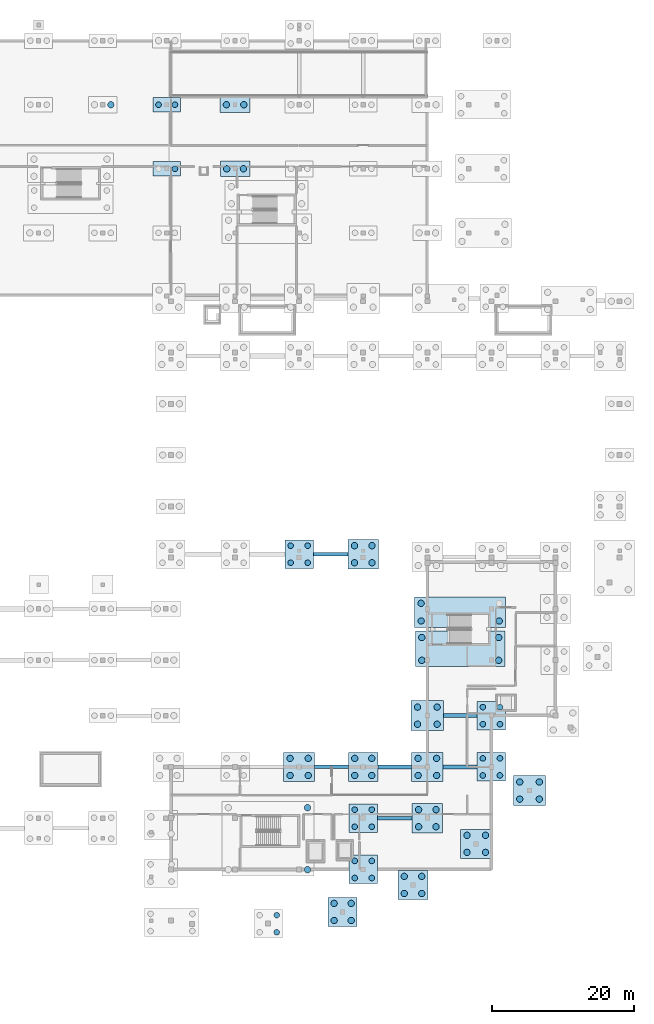
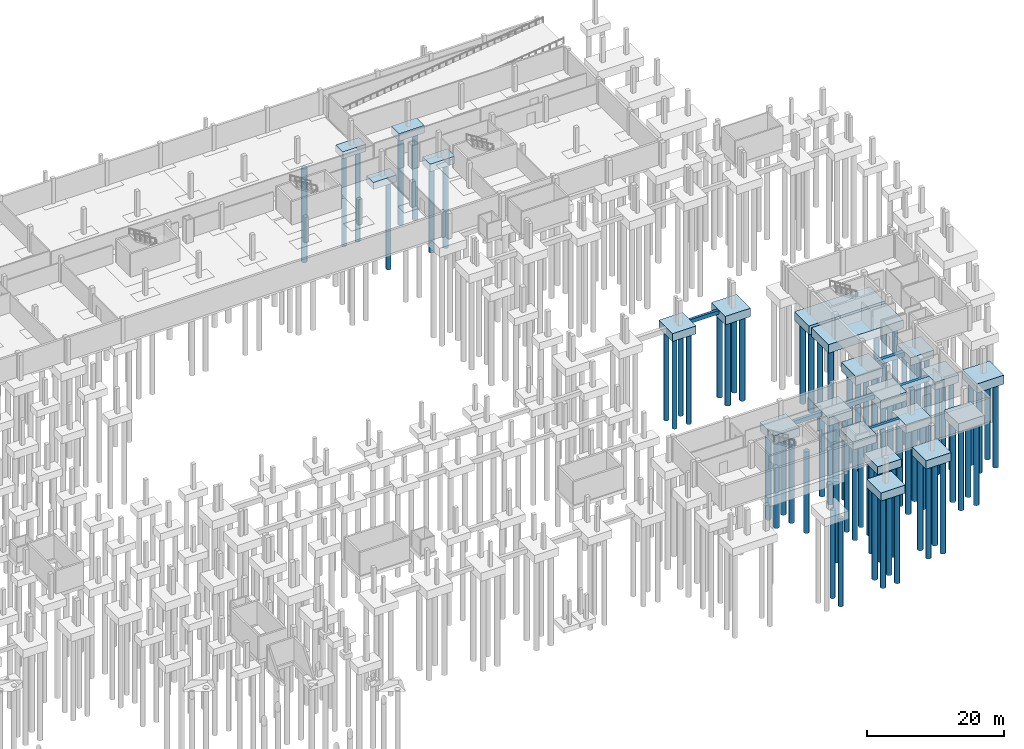
# One storey, part 9 of 36: 79 piles, 27 footings.
"""IFC4 building model written with IfcOpenShell, lengths in metres."""

from ifc_helpers import new_model, si_unit, direction, frame, origin, origin_2d, place, context, subcontext, project, spatial, rectangle, circle, extrude, material, layer, layer_set, material_profile, profile_set, type_object, element, save


model = new_model("IFC4")

# Units and contexts
model_context = context("Model", 3, precision=1e-05, world=origin(), true_north=direction((0.0, 1.0)))
body_context = subcontext(model_context, "Body", "Model", "MODEL_VIEW")
ifc_project = project(units=[si_unit("LENGTHUNIT", "METRE"), si_unit("AREAUNIT", "SQUARE_METRE"), si_unit("VOLUMEUNIT", "CUBIC_METRE"), si_unit("PLANEANGLEUNIT", "RADIAN"), si_unit("MASSUNIT", "GRAM", prefix="KILO")], contexts=[model_context])

# Site, building, storey
site_placement = place(None, origin())
site = spatial("IfcSite", under=ifc_project, at=site_placement, CompositionType="ELEMENT")
building_placement = place(site_placement, origin())
building = spatial("IfcBuilding", under=site, at=building_placement, Name="Chiffa Square Polytechnic", CompositionType="ELEMENT")
storey_placement = place(building_placement, frame((0.0, 0.0, -4.5)))
storey = spatial("IfcBuildingStorey", under=building, at=storey_placement, Name="B1", CompositionType="ELEMENT", Elevation=-4.5)

# Footings
ifc_material = material(Name="Concrete C35/45", Category="concrete")
ifc_layer_1 = layer(ifc_material, 0.659912109375, Name="Concrete C35/45")
ifc_layer_set_1 = layer_set([ifc_layer_1], Name="Concrete C35/45")
footing_type_1 = type_object("IfcFootingType", Name="FTG-BEAM-460X660", PredefinedType="FOOTING_BEAM", material=ifc_layer_set_1)
footing_1_placement = place(storey_placement, frame((134.636962890625, 58.675048828125, -0.66015625), z_axis=(0.0, 0.0, 1.0), x_axis=(1.0, 0.0, 0.0)))
element("IfcFooting", 1, at=footing_1_placement, inside=storey, type_object=footing_type_1, Name="Footing tie beam FB-B1-037", PredefinedType="FOOTING_BEAM", context=body_context, shape_type="SweptSolid", body=[
    extrude(rectangle(XDim=4.864990234375, YDim=0.4599609375, at=origin_2d()), origin(), (0.0, 0.0, 1.0), 0.659912109375),
])
ifc_layer_2 = layer(ifc_material, 0.7099609375, Name="Concrete C35/45")
ifc_layer_set_2 = layer_set([ifc_layer_2], Name="Concrete C35/45")
footing_type_2 = type_object("IfcFootingType", Name="FTG-BEAM-500X710", PredefinedType="FOOTING_BEAM", material=ifc_layer_set_2)
footing_2_placement = place(storey_placement, frame((134.761962890625, 28.800048828125, -0.7099609375), z_axis=(0.0, 0.0, 1.0), x_axis=(1.0, 0.0, 0.0)))
element("IfcFooting", 2, at=footing_2_placement, inside=storey, type_object=footing_type_2, Name="Footing tie beam FB-B1-003", PredefinedType="FOOTING_BEAM", context=body_context, shape_type="SweptSolid", body=[
    extrude(rectangle(XDim=4.764892578125, YDim=0.5, at=origin_2d()), origin(), (0.0, 0.0, 1.0), 0.7099609375),
])
ifc_layer_3 = layer(ifc_material, 0.735107421875, Name="Concrete C35/45")
ifc_layer_set_3 = layer_set([ifc_layer_3], Name="Concrete C35/45")
footing_type_3 = type_object("IfcFootingType", Name="FTG-BEAM-520X735", PredefinedType="FOOTING_BEAM", material=ifc_layer_set_3)
footing_3_placement = place(storey_placement, frame((143.636962890625, 21.60009765625, -0.734375), z_axis=(0.0, 0.0, 1.0), x_axis=(1.0, 0.0, 0.0)))
element("IfcFooting", 3, at=footing_3_placement, inside=storey, type_object=footing_type_3, Name="Footing tie beam FB-B1-004", PredefinedType="FOOTING_BEAM", context=body_context, shape_type="SweptSolid", body=[
    extrude(rectangle(XDim=4.864990234375, YDim=0.52001953125, at=origin_2d()), origin(), (0.0, 0.0, 1.0), 0.735107421875),
])
ifc_layer_4 = layer(ifc_material, 0.760009765625, Name="Concrete C35/45")
ifc_layer_set_4 = layer_set([ifc_layer_4], Name="Concrete C35/45")
footing_type_4 = type_object("IfcFootingType", Name="FTG-BEAM-540X760", PredefinedType="FOOTING_BEAM", material=ifc_layer_set_4)
footing_4_placement = place(storey_placement, frame((143.625, 28.800048828125, -0.759765625), z_axis=(0.0, 0.0, 1.0), x_axis=(1.0, 0.0, 0.0)))
element("IfcFooting", 4, at=footing_4_placement, inside=storey, type_object=footing_type_4, Name="Footing tie beam FB-B1-005", PredefinedType="FOOTING_BEAM", context=body_context, shape_type="SweptSolid", body=[
    extrude(rectangle(XDim=4.739990234375, YDim=0.5400390625, at=origin_2d()), origin(), (0.0, 0.0, 1.0), 0.760009765625),
])
ifc_layer_5 = layer(ifc_material, 0.784912109375, Name="Concrete C35/45")
ifc_layer_set_5 = layer_set([ifc_layer_5], Name="Concrete C35/45")
footing_type_5 = type_object("IfcFootingType", Name="FTG-BEAM-560X785", PredefinedType="FOOTING_BEAM", material=ifc_layer_set_5)
footing_5_placement = place(storey_placement, frame((152.800048828125, 28.800048828125, -0.78564453125), z_axis=(0.0, 0.0, 1.0), x_axis=(1.0, 0.0, 0.0)))
element("IfcFooting", 5, at=footing_5_placement, inside=storey, type_object=footing_type_5, Name="Footing tie beam FB-B1-006", PredefinedType="FOOTING_BEAM", context=body_context, shape_type="SweptSolid", body=[
    extrude(rectangle(XDim=4.7900390625, YDim=0.56005859375, at=origin_2d()), origin(), (0.0, 0.0, 1.0), 0.784912109375),
])
ifc_layer_6 = layer(ifc_material, 0.81005859375, Name="Concrete C35/45")
ifc_layer_set_6 = layer_set([ifc_layer_6], Name="Concrete C35/45")
footing_type_6 = type_object("IfcFootingType", Name="FTG-BEAM-580X810", PredefinedType="FOOTING_BEAM", material=ifc_layer_set_6)
footing_6_placement = place(storey_placement, frame((152.8369140625, 36.0, -0.81005859375), z_axis=(0.0, 0.0, 1.0), x_axis=(1.0, 0.0, 0.0)))
element("IfcFooting", 6, at=footing_6_placement, inside=storey, type_object=footing_type_6, Name="Footing tie beam FB-B1-007", PredefinedType="FOOTING_BEAM", context=body_context, shape_type="SweptSolid", body=[
    extrude(rectangle(XDim=4.715087890625, YDim=0.580078125, at=origin_2d()), origin(), (0.0, 0.0, 1.0), 0.81005859375),
])
ifc_layer_7 = layer(ifc_material, 1.550048828125, Name="Concrete C35/45")
ifc_layer_set_7 = layer_set([ifc_layer_7], Name="Concrete C35/45")
footing_type_7 = type_object("IfcFootingType", Name="FTG-PC-12600X5000X1550", PredefinedType="PILE_CAP", material=ifc_layer_set_7)
footing_7_placement = place(storey_placement, frame((152.824951171875, 45.375, -1.5498046875), z_axis=(0.0, 0.0, 1.0), x_axis=(1.0, 0.0, 0.0)))
element("IfcFooting", 7, at=footing_7_placement, inside=storey, type_object=footing_type_7, Name="Pile cap PC-B1-014", PredefinedType="PILE_CAP", context=body_context, shape_type="SweptSolid", body=[
    extrude(rectangle(XDim=12.60009765625, YDim=5.0, at=origin_2d()), origin(), (0.0, 0.0, 1.0), 1.550048828125),
])
ifc_layer_8 = layer(ifc_material, 1.550048828125, Name="Concrete C35/45")
ifc_layer_set_8 = layer_set([ifc_layer_8], Name="Concrete C35/45")
footing_type_8 = type_object("IfcFootingType", Name="FTG-PC-12774X4275X1550", PredefinedType="PILE_CAP", material=ifc_layer_set_8)
footing_8_placement = place(storey_placement, frame((152.81298828125, 50.537109375, -1.5498046875), z_axis=(0.0, 0.0, 1.0), x_axis=(1.0, 0.0, 0.0)))
element("IfcFooting", 8, at=footing_8_placement, inside=storey, type_object=footing_type_8, Name="Pile cap PC-B1-015", PredefinedType="PILE_CAP", context=body_context, shape_type="SweptSolid", body=[
    extrude(rectangle(XDim=12.77392578125, YDim=4.27490234375, at=origin_2d()), origin(), (0.0, 0.0, 1.0), 1.550048828125),
])
ifc_layer_9 = layer(ifc_material, 1.25, Name="Concrete C35/45")
ifc_layer_set_9 = layer_set([ifc_layer_9], Name="Concrete C35/45")
footing_type_9 = type_object("IfcFootingType", Name="FTG-PC-3900X2000X1250", PredefinedType="PILE_CAP", material=ifc_layer_set_9)
footing_9_placement = place(storey_placement, frame((111.60009765625, 112.800048828125, -1.25), z_axis=(0.0, 0.0, 1.0), x_axis=(1.0, 0.0, 0.0)))
element("IfcFooting", 9, at=footing_9_placement, inside=storey, type_object=footing_type_9, Name="Pile cap PC-B1-167", PredefinedType="PILE_CAP", context=body_context, shape_type="SweptSolid", body=[
    extrude(rectangle(XDim=3.89990234375, YDim=2.0, at=origin_2d()), origin(), (0.0, 0.0, 1.0), 1.25),
])
ifc_layer_10 = layer(ifc_material, 1.25, Name="Concrete C35/45")
ifc_layer_set_10 = layer_set([ifc_layer_10], Name="Concrete C35/45")
footing_type_10 = type_object("IfcFootingType", Name="FTG-PC-3900X2050X1250", PredefinedType="PILE_CAP", material=ifc_layer_set_10)
footing_10_placement = place(storey_placement, frame((111.60009765625, 121.800048828125, -1.25), z_axis=(0.0, 0.0, 1.0), x_axis=(1.0, 0.0, 0.0)))
element("IfcFooting", 10, at=footing_10_placement, inside=storey, type_object=footing_type_10, Name="Pile cap PC-B1-168", PredefinedType="PILE_CAP", context=body_context, shape_type="SweptSolid", body=[
    extrude(rectangle(XDim=3.89990234375, YDim=2.050048828125, at=origin_2d()), origin(), (0.0, 0.0, 1.0), 1.25),
])
ifc_layer_11 = layer(ifc_material, 1.39990234375, Name="Concrete C35/45")
ifc_layer_set_11 = layer_set([ifc_layer_11], Name="Concrete C35/45")
footing_type_11 = type_object("IfcFootingType", Name="FTG-PC-4000X4000X1400", PredefinedType="PILE_CAP", material=ifc_layer_set_11)
for number, where, z_axis, x_axis, name in (
    (11, (139.199951171875, 14.39990234375, -1.39990234375), (0.0, 0.0, 1.0), (1.0, 0.0, 0.0), "Pile cap PC-B1-008"),
    (12, (139.199951171875, 21.60009765625, -1.39990234375), (0.0, 0.0, 1.0), (1.0, 0.0, 0.0), "Pile cap PC-B1-009"),
    (13, (157.199951171875, 28.800048828125, -1.39990234375), (0.0, 0.0, 1.0), (1.0, 0.0, 0.0), "Pile cap PC-B1-017"),
    (14, (157.199951171875, 36.0, -1.39990234375), (0.0, 0.0, 1.0), (1.0, 0.0, 0.0), "Pile cap PC-B1-018"),
    (15, (130.199951171875, 58.675048828125, -1.39990234375), (0.0, 0.0, 1.0), (1.0, 0.0, 0.0), "Pile cap PC-B1-033"),
):
    element("IfcFooting", number, at=place(storey_placement, frame(where, z_axis=z_axis, x_axis=x_axis)), inside=storey, type_object=footing_type_11, Name=name, PredefinedType="PILE_CAP", context=body_context, shape_type="SweptSolid", body=[
        extrude(rectangle(XDim=4.0, YDim=4.0, at=origin_2d()), origin(), (0.0, 0.0, 1.0), 1.39990234375),
    ])
ifc_layer_12 = layer(ifc_material, 1.449951171875, Name="Concrete C35/45")
ifc_layer_set_12 = layer_set([ifc_layer_12], Name="Concrete C35/45")
footing_type_12 = type_object("IfcFootingType", Name="FTG-PC-4100X4100X1450", PredefinedType="PILE_CAP", material=ifc_layer_set_12)
for number, where, z_axis, x_axis, name in (
    (16, (139.199951171875, 28.800048828125, -1.4501953125), (0.0, 0.0, 1.0), (1.0, 0.0, 0.0), "Pile cap PC-B1-010"),
    (17, (136.306884765625, 8.43408203125, -1.4501953125), (0.0, 0.0, 1.0), (1.0, 0.0, 0.0), "Pile cap PC-B1-233"),
):
    element("IfcFooting", number, at=place(storey_placement, frame(where, z_axis=z_axis, x_axis=x_axis)), inside=storey, type_object=footing_type_12, Name=name, PredefinedType="PILE_CAP", context=body_context, shape_type="SweptSolid", body=[
        extrude(rectangle(XDim=4.10009765625, YDim=4.10009765625, at=origin_2d()), origin(), (0.0, 0.0, 1.0), 1.449951171875),
    ])
ifc_layer_13 = layer(ifc_material, 1.35009765625, Name="Concrete C35/45")
ifc_layer_set_13 = layer_set([ifc_layer_13], Name="Concrete C35/45")
footing_type_13 = type_object("IfcFootingType", Name="FTG-PC-4150X2200X1350", PredefinedType="PILE_CAP", material=ifc_layer_set_13)
footing_11_placement = place(storey_placement, frame((121.199951171875, 112.800048828125, -1.35009765625), z_axis=(0.0, 0.0, 1.0), x_axis=(1.0, 0.0, 0.0)))
element("IfcFooting", 18, at=footing_11_placement, inside=storey, type_object=footing_type_13, Name="Pile cap PC-B1-171", PredefinedType="PILE_CAP", context=body_context, shape_type="SweptSolid", body=[
    extrude(rectangle(XDim=4.14990234375, YDim=2.199951171875, at=origin_2d()), origin(), (0.0, 0.0, 1.0), 1.35009765625),
])
ifc_layer_14 = layer(ifc_material, 1.35009765625, Name="Concrete C35/45")
ifc_layer_set_14 = layer_set([ifc_layer_14], Name="Concrete C35/45")
footing_type_14 = type_object("IfcFootingType", Name="FTG-PC-4250X2250X1350", PredefinedType="PILE_CAP", material=ifc_layer_set_14)
footing_12_placement = place(storey_placement, frame((121.199951171875, 121.800048828125, -1.35009765625), z_axis=(0.0, 0.0, 1.0), x_axis=(1.0, 0.0, 0.0)))
element("IfcFooting", 19, at=footing_12_placement, inside=storey, type_object=footing_type_14, Name="Pile cap PC-B1-172", PredefinedType="PILE_CAP", context=body_context, shape_type="SweptSolid", body=[
    extrude(rectangle(XDim=4.25, YDim=2.25, at=origin_2d()), origin(), (0.0, 0.0, 1.0), 1.35009765625),
])
ifc_layer_15 = layer(ifc_material, 1.5, Name="Concrete C35/45")
ifc_layer_set_15 = layer_set([ifc_layer_15], Name="Concrete C35/45")
footing_type_15 = type_object("IfcFootingType", Name="FTG-PC-4250X4100X1500", PredefinedType="PILE_CAP", material=ifc_layer_set_15)
for number, where, z_axis, x_axis, name in (
    (20, (148.199951171875, 21.60009765625, -1.5), (0.0, 0.0, 1.0), (1.0, 0.0, 0.0), "Pile cap PC-B1-011"),
    (21, (139.199951171875, 58.675048828125, -1.5), (0.0, 0.0, 1.0), (1.0, 0.0, 0.0), "Pile cap PC-B1-036"),
    (22, (146.19091796875, 12.22802734375, -1.5), (0.0, 0.0, 1.0), (1.0, 0.0, 0.0), "Pile cap PC-B1-234"),
):
    element("IfcFooting", number, at=place(storey_placement, frame(where, z_axis=z_axis, x_axis=x_axis)), inside=storey, type_object=footing_type_15, Name=name, PredefinedType="PILE_CAP", context=body_context, shape_type="SweptSolid", body=[
        extrude(rectangle(XDim=4.25, YDim=4.10009765625, at=origin_2d()), origin(), (0.0, 0.0, 1.0), 1.5),
    ])
ifc_layer_16 = layer(ifc_material, 1.52001953125, Name="Concrete C35/45")
ifc_layer_set_16 = layer_set([ifc_layer_16], Name="Concrete C35/45")
footing_type_16 = type_object("IfcFootingType", Name="FTG-PC-4350X4100X1520", PredefinedType="PILE_CAP", material=ifc_layer_set_16)
footing_13_placement = place(storey_placement, frame((130.199951171875, 28.800048828125, -1.52001953125), z_axis=(0.0, 0.0, 1.0), x_axis=(1.0, 0.0, 0.0)))
element("IfcFooting", 23, at=footing_13_placement, inside=storey, type_object=footing_type_16, Name="Pile cap PC-B1-007", PredefinedType="PILE_CAP", context=body_context, shape_type="SweptSolid", body=[
    extrude(rectangle(XDim=4.35009765625, YDim=4.10009765625, at=origin_2d()), origin(), (0.0, 0.0, 1.0), 1.52001953125),
])
ifc_layer_17 = layer(ifc_material, 1.550048828125, Name="Concrete C35/45")
ifc_layer_set_17 = layer_set([ifc_layer_17], Name="Concrete C35/45")
footing_type_17 = type_object("IfcFootingType", Name="FTG-PC-4400X4100X1550", PredefinedType="PILE_CAP", material=ifc_layer_set_17)
for number, where, z_axis, x_axis, name in (
    (24, (148.199951171875, 28.800048828125, -1.5498046875), (0.0, 0.0, 1.0), (1.0, 0.0, 0.0), "Pile cap PC-B1-012"),
    (25, (155.070068359375, 17.993896484375, -1.5498046875), (0.0, 0.0, 1.0), (1.0, 0.0, 0.0), "Pile cap PC-B1-235"),
):
    element("IfcFooting", number, at=place(storey_placement, frame(where, z_axis=z_axis, x_axis=x_axis)), inside=storey, type_object=footing_type_17, Name=name, PredefinedType="PILE_CAP", context=body_context, shape_type="SweptSolid", body=[
        extrude(rectangle(XDim=4.39990234375, YDim=4.10009765625, at=origin_2d()), origin(), (0.0, 0.0, 1.0), 1.550048828125),
    ])
ifc_layer_18 = layer(ifc_material, 1.60009765625, Name="Concrete C35/45")
ifc_layer_set_18 = layer_set([ifc_layer_18], Name="Concrete C35/45")
footing_type_18 = type_object("IfcFootingType", Name="FTG-PC-4550X4200X1600", PredefinedType="PILE_CAP", material=ifc_layer_set_18)
for number, where, z_axis, x_axis, name in (
    (26, (148.199951171875, 36.0, -1.60009765625), (0.0, 0.0, 1.0), (1.0, 0.0, 0.0), "Pile cap PC-B1-013"),
    (27, (162.555908203125, 25.47998046875, -1.60009765625), (0.0, 0.0, 1.0), (1.0, 0.0, 0.0), "Pile cap PC-B1-236"),
):
    element("IfcFooting", number, at=place(storey_placement, frame(where, z_axis=z_axis, x_axis=x_axis)), inside=storey, type_object=footing_type_18, Name=name, PredefinedType="PILE_CAP", context=body_context, shape_type="SweptSolid", body=[
        extrude(rectangle(XDim=4.550048828125, YDim=4.199951171875, at=origin_2d()), origin(), (0.0, 0.0, 1.0), 1.60009765625),
    ])

# Piles
ifc_material_profile_1 = material_profile(ifc_material, circle(Radius=0.39990234375, at=origin_2d()), Name="PILE D800")
ifc_profile_set_1 = profile_set([ifc_material_profile_1], Name="Concrete C35/45")
pile_type_1 = type_object("IfcPileType", Name="PILE-D800", PredefinedType="BORED", material=ifc_profile_set_1)
for number, where, z_axis, x_axis, name in (
    (28, (138.0, 13.199951171875, -1.300048828125), (0.0, 0.0, -1.0), (1.0, 0.0, 0.0), "Bored pile PL-B1-1380-0132-1"),
    (29, (140.39990234375, 13.199951171875, -1.300048828125), (0.0, 0.0, -1.0), (1.0, 0.0, 0.0), "Bored pile PL-B1-1404-0132-2"),
    (30, (138.0, 15.60009765625, -1.300048828125), (0.0, 0.0, -1.0), (1.0, 0.0, 0.0), "Bored pile PL-B1-1380-0156-3"),
    (31, (140.39990234375, 15.60009765625, -1.300048828125), (0.0, 0.0, -1.0), (1.0, 0.0, 0.0), "Bored pile PL-B1-1404-0156-4"),
):
    element("IfcPile", number, at=place(storey_placement, frame(where, z_axis=z_axis, x_axis=x_axis)), inside=storey, type_object=pile_type_1, Name=name, PredefinedType="BORED", context=body_context, shape_type="SweptSolid", body=[
        extrude(circle(Radius=0.39990234375, at=origin_2d()), origin(), (0.0, 0.0, 1.0), 16.199951171875),
    ])
for number, where, z_axis, x_axis, name in (
    (32, (138.0, 20.39990234375, -1.300048828125), (0.0, 0.0, -1.0), (1.0, 0.0, 0.0), "Bored pile PL-B1-1380-0204-1"),
    (33, (140.39990234375, 20.39990234375, -1.300048828125), (0.0, 0.0, -1.0), (1.0, 0.0, 0.0), "Bored pile PL-B1-1404-0204-2"),
    (34, (138.0, 22.800048828125, -1.300048828125), (0.0, 0.0, -1.0), (1.0, 0.0, 0.0), "Bored pile PL-B1-1380-0228-3"),
    (35, (140.39990234375, 22.800048828125, -1.300048828125), (0.0, 0.0, -1.0), (1.0, 0.0, 0.0), "Bored pile PL-B1-1404-0228-4"),
):
    element("IfcPile", number, at=place(storey_placement, frame(where, z_axis=z_axis, x_axis=x_axis)), inside=storey, type_object=pile_type_1, Name=name, PredefinedType="BORED", context=body_context, shape_type="SweptSolid", body=[
        extrude(circle(Radius=0.39990234375, at=origin_2d()), origin(), (0.0, 0.0, 1.0), 16.699951171875),
    ])
for number, where, z_axis, x_axis, name in (
    (36, (156.0, 27.60009765625, -1.300048828125), (0.0, 0.0, -1.0), (1.0, 0.0, 0.0), "Bored pile PL-B1-1560-0276-1"),
    (37, (158.39990234375, 27.60009765625, -1.300048828125), (0.0, 0.0, -1.0), (1.0, 0.0, 0.0), "Bored pile PL-B1-1584-0276-2"),
    (38, (156.0, 30.0, -1.300048828125), (0.0, 0.0, -1.0), (1.0, 0.0, 0.0), "Bored pile PL-B1-1560-0300-3"),
    (39, (158.39990234375, 30.0, -1.300048828125), (0.0, 0.0, -1.0), (1.0, 0.0, 0.0), "Bored pile PL-B1-1584-0300-4"),
):
    element("IfcPile", number, at=place(storey_placement, frame(where, z_axis=z_axis, x_axis=x_axis)), inside=storey, type_object=pile_type_1, Name=name, PredefinedType="BORED", context=body_context, shape_type="SweptSolid", body=[
        extrude(circle(Radius=0.39990234375, at=origin_2d()), origin(), (0.0, 0.0, 1.0), 15.699951171875),
    ])
for number, where, z_axis, x_axis, name in (
    (40, (156.0, 34.800048828125, -1.300048828125), (0.0, 0.0, -1.0), (1.0, 0.0, 0.0), "Bored pile PL-B1-1560-0348-1"),
    (41, (158.39990234375, 34.800048828125, -1.300048828125), (0.0, 0.0, -1.0), (1.0, 0.0, 0.0), "Bored pile PL-B1-1584-0348-2"),
    (42, (156.0, 37.199951171875, -1.300048828125), (0.0, 0.0, -1.0), (1.0, 0.0, 0.0), "Bored pile PL-B1-1560-0372-3"),
    (43, (158.39990234375, 37.199951171875, -1.300048828125), (0.0, 0.0, -1.0), (1.0, 0.0, 0.0), "Bored pile PL-B1-1584-0372-4"),
    (44, (129.0, 57.47509765625, -1.300048828125), (0.0, 0.0, -1.0), (1.0, 0.0, 0.0), "Bored pile PL-B1-1290-0575-1"),
    (45, (131.39990234375, 57.47509765625, -1.300048828125), (0.0, 0.0, -1.0), (1.0, 0.0, 0.0), "Bored pile PL-B1-1314-0575-2"),
    (46, (129.0, 59.875, -1.300048828125), (0.0, 0.0, -1.0), (1.0, 0.0, 0.0), "Bored pile PL-B1-1290-0599-3"),
    (47, (131.39990234375, 59.875, -1.300048828125), (0.0, 0.0, -1.0), (1.0, 0.0, 0.0), "Bored pile PL-B1-1314-0599-4"),
):
    element("IfcPile", number, at=place(storey_placement, frame(where, z_axis=z_axis, x_axis=x_axis)), inside=storey, type_object=pile_type_1, Name=name, PredefinedType="BORED", context=body_context, shape_type="SweptSolid", body=[
        extrude(circle(Radius=0.39990234375, at=origin_2d()), origin(), (0.0, 0.0, 1.0), 16.199951171875),
    ])
pile_1_placement = place(storey_placement, frame((112.75, 112.800048828125, -1.14990234375), z_axis=(0.0, 0.0, -1.0), x_axis=(1.0, 0.0, 0.0)))
element("IfcPile", 48, at=pile_1_placement, inside=storey, type_object=pile_type_1, Name="Bored pile PL-B1-1128-1128-2", PredefinedType="BORED", context=body_context, shape_type="SweptSolid", body=[
    extrude(circle(Radius=0.39990234375, at=origin_2d()), origin(), (0.0, 0.0, 1.0), 15.85009765625),
])
for number, where, z_axis, x_axis, name in (
    (49, (110.449951171875, 121.800048828125, -1.14990234375), (0.0, 0.0, -1.0), (1.0, 0.0, 0.0), "Bored pile PL-B1-1104-1218-1"),
    (50, (112.75, 121.800048828125, -1.14990234375), (0.0, 0.0, -1.0), (1.0, 0.0, 0.0), "Bored pile PL-B1-1128-1218-2"),
):
    element("IfcPile", number, at=place(storey_placement, frame(where, z_axis=z_axis, x_axis=x_axis)), inside=storey, type_object=pile_type_1, Name=name, PredefinedType="BORED", context=body_context, shape_type="SweptSolid", body=[
        extrude(circle(Radius=0.39990234375, at=origin_2d()), origin(), (0.0, 0.0, 1.0), 16.35009765625),
    ])
for number, where, z_axis, x_axis, name in (
    (51, (127.050048828125, 5.577880859375, -1.300048828125), (0.0, 0.0, -1.0), (1.0, 0.0, 0.0), "Bored pile PL-B1-1270-0056-2"),
    (52, (127.050048828125, 7.97802734375, -1.300048828125), (0.0, 0.0, -1.0), (1.0, 0.0, 0.0), "Bored pile PL-B1-1270-0080-4"),
):
    element("IfcPile", number, at=place(storey_placement, frame(where, z_axis=z_axis, x_axis=x_axis)), inside=storey, type_object=pile_type_1, Name=name, PredefinedType="BORED", context=body_context, shape_type="SweptSolid", body=[
        extrude(circle(Radius=0.39990234375, at=origin_2d()), origin(), (0.0, 0.0, 1.0), 15.699951171875),
    ])
ifc_material_profile_2 = material_profile(ifc_material, circle(Radius=0.449951171875, at=origin_2d()), Name="PILE D900")
ifc_profile_set_2 = profile_set([ifc_material_profile_2], Name="Concrete C35/45")
pile_type_2 = type_object("IfcPileType", Name="PILE-D900", PredefinedType="BORED", material=ifc_profile_set_2)
for number, where, z_axis, x_axis, name in (
    (53, (131.3740234375, 14.375, -1.5), (0.0, 0.0, -1.0), (1.0, 0.0, 0.0), "Bored pile PL-B1-1314-0144-2"),
    (54, (131.3740234375, 23.074951171875, -1.5), (0.0, 0.0, -1.0), (1.0, 0.0, 0.0), "Bored pile PL-B1-1314-0231-4"),
):
    element("IfcPile", number, at=place(storey_placement, frame(where, z_axis=z_axis, x_axis=x_axis)), inside=storey, type_object=pile_type_2, Name=name, PredefinedType="BORED", context=body_context, shape_type="SweptSolid", body=[
        extrude(circle(Radius=0.449951171875, at=origin_2d()), origin(), (0.0, 0.0, 1.0), 14.5),
    ])
for number, where, z_axis, x_axis, name in (
    (55, (128.925048828125, 27.60009765625, -1.419921875), (0.0, 0.0, -1.0), (1.0, 0.0, 0.0), "Bored pile PL-B1-1289-0276-1"),
    (56, (131.47509765625, 27.60009765625, -1.419921875), (0.0, 0.0, -1.0), (1.0, 0.0, 0.0), "Bored pile PL-B1-1315-0276-2"),
    (57, (128.925048828125, 30.0, -1.419921875), (0.0, 0.0, -1.0), (1.0, 0.0, 0.0), "Bored pile PL-B1-1289-0300-3"),
    (58, (131.47509765625, 30.0, -1.419921875), (0.0, 0.0, -1.0), (1.0, 0.0, 0.0), "Bored pile PL-B1-1315-0300-4"),
):
    element("IfcPile", number, at=place(storey_placement, frame(where, z_axis=z_axis, x_axis=x_axis)), inside=storey, type_object=pile_type_2, Name=name, PredefinedType="BORED", context=body_context, shape_type="SweptSolid", body=[
        extrude(circle(Radius=0.449951171875, at=origin_2d()), origin(), (0.0, 0.0, 1.0), 15.580078125),
    ])
for number, where, z_axis, x_axis, name in (
    (59, (138.0, 27.60009765625, -1.35009765625), (0.0, 0.0, -1.0), (1.0, 0.0, 0.0), "Bored pile PL-B1-1380-0276-1"),
    (60, (140.39990234375, 27.60009765625, -1.35009765625), (0.0, 0.0, -1.0), (1.0, 0.0, 0.0), "Bored pile PL-B1-1404-0276-2"),
    (61, (138.0, 30.0, -1.35009765625), (0.0, 0.0, -1.0), (1.0, 0.0, 0.0), "Bored pile PL-B1-1380-0300-3"),
    (62, (140.39990234375, 30.0, -1.35009765625), (0.0, 0.0, -1.0), (1.0, 0.0, 0.0), "Bored pile PL-B1-1404-0300-4"),
):
    element("IfcPile", number, at=place(storey_placement, frame(where, z_axis=z_axis, x_axis=x_axis)), inside=storey, type_object=pile_type_2, Name=name, PredefinedType="BORED", context=body_context, shape_type="SweptSolid", body=[
        extrude(circle(Radius=0.449951171875, at=origin_2d()), origin(), (0.0, 0.0, 1.0), 14.64990234375),
    ])
for number, where, z_axis, x_axis, name in (
    (63, (146.97509765625, 20.39990234375, -1.39990234375), (0.0, 0.0, -1.0), (1.0, 0.0, 0.0), "Bored pile PL-B1-1470-0204-1"),
    (64, (149.425048828125, 20.39990234375, -1.39990234375), (0.0, 0.0, -1.0), (1.0, 0.0, 0.0), "Bored pile PL-B1-1494-0204-2"),
    (65, (146.97509765625, 22.800048828125, -1.39990234375), (0.0, 0.0, -1.0), (1.0, 0.0, 0.0), "Bored pile PL-B1-1470-0228-3"),
    (66, (149.425048828125, 22.800048828125, -1.39990234375), (0.0, 0.0, -1.0), (1.0, 0.0, 0.0), "Bored pile PL-B1-1494-0228-4"),
):
    element("IfcPile", number, at=place(storey_placement, frame(where, z_axis=z_axis, x_axis=x_axis)), inside=storey, type_object=pile_type_2, Name=name, PredefinedType="BORED", context=body_context, shape_type="SweptSolid", body=[
        extrude(circle(Radius=0.449951171875, at=origin_2d()), origin(), (0.0, 0.0, 1.0), 15.10009765625),
    ])
for number, where, z_axis, x_axis, name in (
    (67, (146.89990234375, 27.60009765625, -1.449951171875), (0.0, 0.0, -1.0), (1.0, 0.0, 0.0), "Bored pile PL-B1-1469-0276-1"),
    (68, (149.5, 27.60009765625, -1.449951171875), (0.0, 0.0, -1.0), (1.0, 0.0, 0.0), "Bored pile PL-B1-1495-0276-2"),
    (69, (146.89990234375, 30.0, -1.449951171875), (0.0, 0.0, -1.0), (1.0, 0.0, 0.0), "Bored pile PL-B1-1469-0300-3"),
    (70, (149.5, 30.0, -1.449951171875), (0.0, 0.0, -1.0), (1.0, 0.0, 0.0), "Bored pile PL-B1-1495-0300-4"),
):
    element("IfcPile", number, at=place(storey_placement, frame(where, z_axis=z_axis, x_axis=x_axis)), inside=storey, type_object=pile_type_2, Name=name, PredefinedType="BORED", context=body_context, shape_type="SweptSolid", body=[
        extrude(circle(Radius=0.449951171875, at=origin_2d()), origin(), (0.0, 0.0, 1.0), 15.550048828125),
    ])
for number, where, z_axis, x_axis, name in (
    (71, (146.824951171875, 34.800048828125, -1.5), (0.0, 0.0, -1.0), (1.0, 0.0, 0.0), "Bored pile PL-B1-1468-0348-1"),
    (72, (149.574951171875, 34.800048828125, -1.5), (0.0, 0.0, -1.0), (1.0, 0.0, 0.0), "Bored pile PL-B1-1496-0348-2"),
    (73, (146.824951171875, 37.199951171875, -1.5), (0.0, 0.0, -1.0), (1.0, 0.0, 0.0), "Bored pile PL-B1-1468-0372-3"),
    (74, (149.574951171875, 37.199951171875, -1.5), (0.0, 0.0, -1.0), (1.0, 0.0, 0.0), "Bored pile PL-B1-1496-0372-4"),
):
    element("IfcPile", number, at=place(storey_placement, frame(where, z_axis=z_axis, x_axis=x_axis)), inside=storey, type_object=pile_type_2, Name=name, PredefinedType="BORED", context=body_context, shape_type="SweptSolid", body=[
        extrude(circle(Radius=0.449951171875, at=origin_2d()), origin(), (0.0, 0.0, 1.0), 16.0),
    ])
for number, where, z_axis, x_axis, name in (
    (75, (147.425048828125, 43.77490234375, -1.449951171875), (0.0, 0.0, -1.0), (1.0, 0.0, 0.0), "Bored pile PL-B1-1474-0438-1"),
    (76, (158.22509765625, 43.77490234375, -1.449951171875), (0.0, 0.0, -1.0), (1.0, 0.0, 0.0), "Bored pile PL-B1-1582-0438-2"),
    (77, (147.425048828125, 46.97509765625, -1.449951171875), (0.0, 0.0, -1.0), (1.0, 0.0, 0.0), "Bored pile PL-B1-1474-0470-3"),
    (78, (158.22509765625, 46.97509765625, -1.449951171875), (0.0, 0.0, -1.0), (1.0, 0.0, 0.0), "Bored pile PL-B1-1582-0470-4"),
):
    element("IfcPile", number, at=place(storey_placement, frame(where, z_axis=z_axis, x_axis=x_axis)), inside=storey, type_object=pile_type_2, Name=name, PredefinedType="BORED", context=body_context, shape_type="SweptSolid", body=[
        extrude(circle(Radius=0.449951171875, at=origin_2d()), origin(), (0.0, 0.0, 1.0), 16.550048828125),
    ])
for number, where, z_axis, x_axis, name in (
    (79, (147.325927734375, 49.299072265625, -1.449951171875), (0.0, 0.0, -1.0), (1.0, 0.0, 0.0), "Bored pile PL-B1-1473-0493-1"),
    (80, (158.300048828125, 49.299072265625, -1.449951171875), (0.0, 0.0, -1.0), (1.0, 0.0, 0.0), "Bored pile PL-B1-1583-0493-2"),
    (81, (147.325927734375, 51.77490234375, -1.449951171875), (0.0, 0.0, -1.0), (1.0, 0.0, 0.0), "Bored pile PL-B1-1473-0518-3"),
):
    element("IfcPile", number, at=place(storey_placement, frame(where, z_axis=z_axis, x_axis=x_axis)), inside=storey, type_object=pile_type_2, Name=name, PredefinedType="BORED", context=body_context, shape_type="SweptSolid", body=[
        extrude(circle(Radius=0.449951171875, at=origin_2d()), origin(), (0.0, 0.0, 1.0), 14.550048828125),
    ])
for number, where, z_axis, x_axis, name in (
    (82, (137.97509765625, 57.47509765625, -1.39990234375), (0.0, 0.0, -1.0), (1.0, 0.0, 0.0), "Bored pile PL-B1-1380-0575-1"),
    (83, (140.425048828125, 57.47509765625, -1.39990234375), (0.0, 0.0, -1.0), (1.0, 0.0, 0.0), "Bored pile PL-B1-1404-0575-2"),
    (84, (137.97509765625, 59.875, -1.39990234375), (0.0, 0.0, -1.0), (1.0, 0.0, 0.0), "Bored pile PL-B1-1380-0599-3"),
    (85, (140.425048828125, 59.875, -1.39990234375), (0.0, 0.0, -1.0), (1.0, 0.0, 0.0), "Bored pile PL-B1-1404-0599-4"),
):
    element("IfcPile", number, at=place(storey_placement, frame(where, z_axis=z_axis, x_axis=x_axis)), inside=storey, type_object=pile_type_2, Name=name, PredefinedType="BORED", context=body_context, shape_type="SweptSolid", body=[
        extrude(circle(Radius=0.449951171875, at=origin_2d()), origin(), (0.0, 0.0, 1.0), 15.10009765625),
    ])
pile_2_placement = place(storey_placement, frame((103.75, 121.800048828125, -1.280029296875), z_axis=(0.0, 0.0, -1.0), x_axis=(1.0, 0.0, 0.0)))
element("IfcPile", 86, at=pile_2_placement, inside=storey, type_object=pile_type_2, Name="Bored pile PL-B1-1038-1218-2", PredefinedType="BORED", context=body_context, shape_type="SweptSolid", body=[
    extrude(circle(Radius=0.449951171875, at=origin_2d()), origin(), (0.0, 0.0, 1.0), 16.719970703125),
])
for number, where, z_axis, x_axis, name in (
    (87, (120.02490234375, 112.800048828125, -1.25), (0.0, 0.0, -1.0), (1.0, 0.0, 0.0), "Bored pile PL-B1-1200-1128-1"),
    (88, (122.375, 112.800048828125, -1.25), (0.0, 0.0, -1.0), (1.0, 0.0, 0.0), "Bored pile PL-B1-1224-1128-2"),
):
    element("IfcPile", number, at=place(storey_placement, frame(where, z_axis=z_axis, x_axis=x_axis)), inside=storey, type_object=pile_type_2, Name=name, PredefinedType="BORED", context=body_context, shape_type="SweptSolid", body=[
        extrude(circle(Radius=0.449951171875, at=origin_2d()), origin(), (0.0, 0.0, 1.0), 15.25),
    ])
for number, where, z_axis, x_axis, name in (
    (89, (119.97509765625, 121.800048828125, -1.25), (0.0, 0.0, -1.0), (1.0, 0.0, 0.0), "Bored pile PL-B1-1200-1218-1"),
    (90, (122.425048828125, 121.800048828125, -1.25), (0.0, 0.0, -1.0), (1.0, 0.0, 0.0), "Bored pile PL-B1-1224-1218-2"),
):
    element("IfcPile", number, at=place(storey_placement, frame(where, z_axis=z_axis, x_axis=x_axis)), inside=storey, type_object=pile_type_2, Name=name, PredefinedType="BORED", context=body_context, shape_type="SweptSolid", body=[
        extrude(circle(Radius=0.449951171875, at=origin_2d()), origin(), (0.0, 0.0, 1.0), 15.75),
    ])
for number, where, z_axis, x_axis, name in (
    (91, (135.10693359375, 7.23388671875, -1.35009765625), (0.0, 0.0, -1.0), (1.0, 0.0, 0.0), "Bored pile PL-B1-1351-0072-1"),
    (92, (137.507080078125, 7.23388671875, -1.35009765625), (0.0, 0.0, -1.0), (1.0, 0.0, 0.0), "Bored pile PL-B1-1375-0072-2"),
    (93, (135.10693359375, 9.634033203125, -1.35009765625), (0.0, 0.0, -1.0), (1.0, 0.0, 0.0), "Bored pile PL-B1-1351-0096-3"),
    (94, (137.507080078125, 9.634033203125, -1.35009765625), (0.0, 0.0, -1.0), (1.0, 0.0, 0.0), "Bored pile PL-B1-1375-0096-4"),
):
    element("IfcPile", number, at=place(storey_placement, frame(where, z_axis=z_axis, x_axis=x_axis)), inside=storey, type_object=pile_type_2, Name=name, PredefinedType="BORED", context=body_context, shape_type="SweptSolid", body=[
        extrude(circle(Radius=0.449951171875, at=origin_2d()), origin(), (0.0, 0.0, 1.0), 16.14990234375),
    ])
for number, where, z_axis, x_axis, name in (
    (95, (144.966064453125, 11.028076171875, -1.39990234375), (0.0, 0.0, -1.0), (1.0, 0.0, 0.0), "Bored pile PL-B1-1450-0110-1"),
    (96, (147.416015625, 11.028076171875, -1.39990234375), (0.0, 0.0, -1.0), (1.0, 0.0, 0.0), "Bored pile PL-B1-1474-0110-2"),
    (97, (144.966064453125, 13.427978515625, -1.39990234375), (0.0, 0.0, -1.0), (1.0, 0.0, 0.0), "Bored pile PL-B1-1450-0134-3"),
    (98, (147.416015625, 13.427978515625, -1.39990234375), (0.0, 0.0, -1.0), (1.0, 0.0, 0.0), "Bored pile PL-B1-1474-0134-4"),
):
    element("IfcPile", number, at=place(storey_placement, frame(where, z_axis=z_axis, x_axis=x_axis)), inside=storey, type_object=pile_type_2, Name=name, PredefinedType="BORED", context=body_context, shape_type="SweptSolid", body=[
        extrude(circle(Radius=0.449951171875, at=origin_2d()), origin(), (0.0, 0.0, 1.0), 16.60009765625),
    ])
for number, where, z_axis, x_axis, name in (
    (99, (153.77001953125, 16.7939453125, -1.449951171875), (0.0, 0.0, -1.0), (1.0, 0.0, 0.0), "Bored pile PL-B1-1538-0168-1"),
    (100, (156.3701171875, 16.7939453125, -1.449951171875), (0.0, 0.0, -1.0), (1.0, 0.0, 0.0), "Bored pile PL-B1-1564-0168-2"),
    (101, (153.77001953125, 19.194091796875, -1.449951171875), (0.0, 0.0, -1.0), (1.0, 0.0, 0.0), "Bored pile PL-B1-1538-0192-3"),
    (102, (156.3701171875, 19.194091796875, -1.449951171875), (0.0, 0.0, -1.0), (1.0, 0.0, 0.0), "Bored pile PL-B1-1564-0192-4"),
):
    element("IfcPile", number, at=place(storey_placement, frame(where, z_axis=z_axis, x_axis=x_axis)), inside=storey, type_object=pile_type_2, Name=name, PredefinedType="BORED", context=body_context, shape_type="SweptSolid", body=[
        extrude(circle(Radius=0.449951171875, at=origin_2d()), origin(), (0.0, 0.0, 1.0), 14.550048828125),
    ])
for number, where, z_axis, x_axis, name in (
    (103, (161.180908203125, 24.280029296875, -1.5), (0.0, 0.0, -1.0), (1.0, 0.0, 0.0), "Bored pile PL-B1-1612-0243-1"),
    (104, (163.930908203125, 24.280029296875, -1.5), (0.0, 0.0, -1.0), (1.0, 0.0, 0.0), "Bored pile PL-B1-1639-0243-2"),
    (105, (161.180908203125, 26.679931640625, -1.5), (0.0, 0.0, -1.0), (1.0, 0.0, 0.0), "Bored pile PL-B1-1612-0267-3"),
    (106, (163.930908203125, 26.679931640625, -1.5), (0.0, 0.0, -1.0), (1.0, 0.0, 0.0), "Bored pile PL-B1-1639-0267-4"),
):
    element("IfcPile", number, at=place(storey_placement, frame(where, z_axis=z_axis, x_axis=x_axis)), inside=storey, type_object=pile_type_2, Name=name, PredefinedType="BORED", context=body_context, shape_type="SweptSolid", body=[
        extrude(circle(Radius=0.449951171875, at=origin_2d()), origin(), (0.0, 0.0, 1.0), 15.0),
    ])

save(model, "model.ifc")
